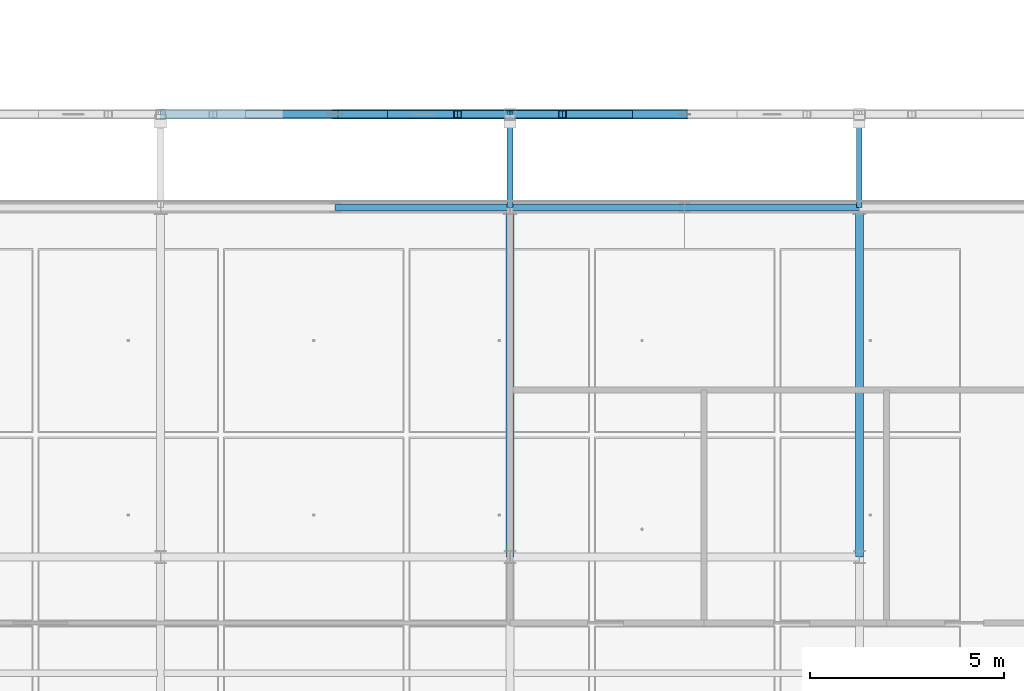
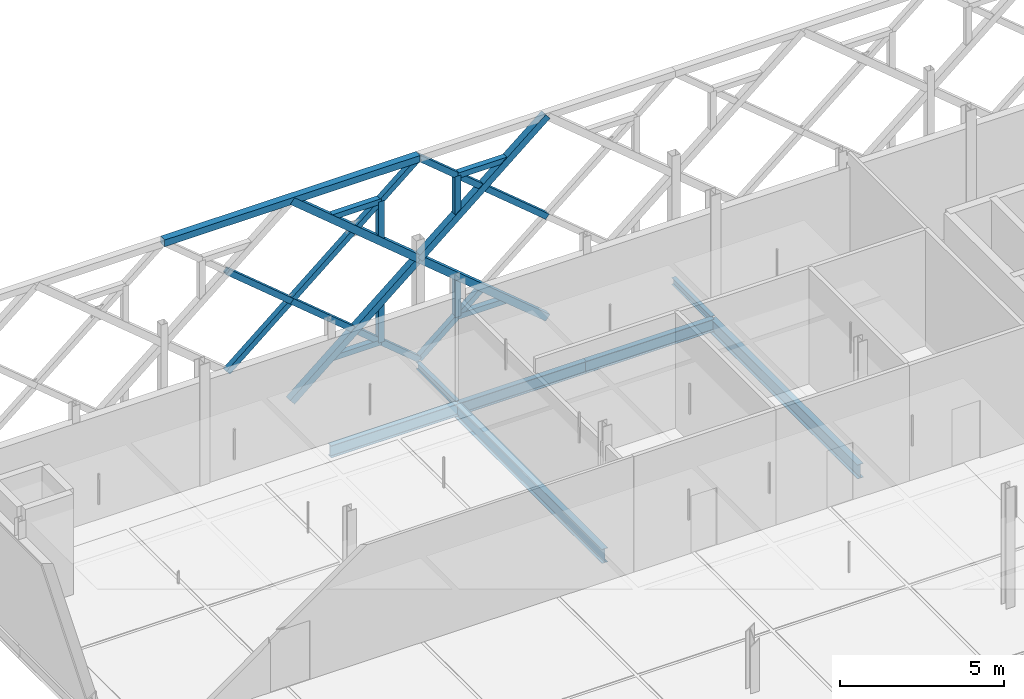
# One storey, part 24 of 66: 21 members, 7 beams.
"""IFC4 building model written with IfcOpenShell, lengths in metres."""

from ifc_helpers import new_model, si_unit, direction, frame, origin, origin_2d, place, context, subcontext, project, spatial, hollow_rectangle, i_section, extrude, material, material_profile, profile_set, type_object, element, save


model = new_model("IFC4")

# Units and contexts
model_context = context("Model", 3, precision=1e-05, world=origin(), true_north=direction((0.0, 1.0)))
body_context = subcontext(model_context, "Body", "Model", "MODEL_VIEW")
ifc_project = project(units=[si_unit("LENGTHUNIT", "METRE"), si_unit("AREAUNIT", "SQUARE_METRE"), si_unit("VOLUMEUNIT", "CUBIC_METRE"), si_unit("PLANEANGLEUNIT", "RADIAN"), si_unit("MASSUNIT", "GRAM", prefix="KILO"), si_unit("THERMODYNAMICTEMPERATUREUNIT", "KELVIN"), si_unit("POWERUNIT", "WATT")], contexts=[model_context])

# Site, building, storey
site_placement = place(None, origin())
site = spatial("IfcSite", under=ifc_project, at=site_placement, CompositionType="ELEMENT")
building_placement = place(site_placement, origin())
building = spatial("IfcBuilding", under=site, at=building_placement, Name="Tallowbark Science Centre", CompositionType="ELEMENT")
storey_placement = place(building_placement, frame((0.0, 0.0, 18.89990234375)))
storey = spatial("IfcBuildingStorey", under=building, at=storey_placement, Name="L04", CompositionType="ELEMENT", Elevation=18.89990234375)

# Beams
ifc_material_1 = material(Name="White Architectural Painted Steel Grade C350L0 (350 MPa)", Category="steel")
ifc_material_profile_1 = material_profile(ifc_material_1, i_section(OverallWidth=0.146484375, OverallDepth=0.256103515625, WebThickness=0.00634765625, FlangeThickness=0.010986328125, FilletRadius=0.0087890625, at=origin_2d()), Name="250UB37.3")
ifc_profile_set_1 = profile_set([ifc_material_profile_1], Name="White Architectural Painted Steel Grade C350L0 (350 MPa)")
beam_type_1 = type_object("IfcBeamType", Name="BM-OUT250", PredefinedType="BEAM", material=ifc_profile_set_1)
for number, where, z_axis, x_axis, name in (
    (1, (76.5, 40.5, -0.25), (0.0, 1.0, 0.0), (-1.0, 0.0, 0.0), "Star Screen Outrigger Tie Beam N-62"),
    (2, (85.5, 40.5, -0.25), (0.0, 1.0, 0.0), (-1.0, 0.0, 0.0), "Star Screen Outrigger Tie Beam N-64"),
):
    element("IfcBeam", number, at=place(storey_placement, frame(where, z_axis=z_axis, x_axis=x_axis)), inside=storey, type_object=beam_type_1, Name=name, PredefinedType="BEAM", context=body_context, shape_type="SweptSolid", body=[
        extrude(i_section(OverallWidth=0.146484375, OverallDepth=0.256103515625, WebThickness=0.00634765625, FlangeThickness=0.010986328125, FilletRadius=0.0087890625, at=origin_2d()), origin(), (0.0, 0.0, 1.0), 2.39990234375),
    ])
ifc_material_2 = material(Name="Structural Steel Grade 300PLUS (300 MPa)", Category="steel")
ifc_material_profile_2 = material_profile(ifc_material_2, i_section(OverallWidth=0.208740234375, OverallDepth=0.5283203125, WebThickness=0.009521484375, FlangeThickness=0.01318359375, FilletRadius=0.013916015625, at=origin_2d()), Name="530UB82.0")
ifc_profile_set_2 = profile_set([ifc_material_profile_2], Name="Structural Steel Grade 300PLUS (300 MPa)")
beam_type_2 = type_object("IfcBeamType", Name="BM-UB530B", PredefinedType="BEAM", material=ifc_profile_set_2)
for number, where, z_axis, x_axis, name in (
    (3, (76.5, 31.5, -0.444091796875), (0.0, 1.0, 0.0), (-1.0, 0.0, 0.0), "Primary Girder GRDY-L04-765-315-405"),
    (4, (85.5, 31.5, -0.444091796875), (0.0, 1.0, 0.0), (-1.0, 0.0, 0.0), "Primary Girder GRDY-L04-855-315-405"),
):
    element("IfcBeam", number, at=place(storey_placement, frame(where, z_axis=z_axis, x_axis=x_axis)), inside=storey, type_object=beam_type_2, Name=name, PredefinedType="BEAM", context=body_context, shape_type="SweptSolid", body=[
        extrude(i_section(OverallWidth=0.208740234375, OverallDepth=0.5283203125, WebThickness=0.009521484375, FlangeThickness=0.01318359375, FilletRadius=0.013916015625, at=origin_2d()), origin(), (0.0, 0.0, 1.0), 9.0),
    ])

# Members
ifc_material_profile_3 = material_profile(ifc_material_1, hollow_rectangle(XDim=0.25, YDim=0.25, WallThickness=0.009033203125, at=origin_2d()), Name="250x250x9.0SHS")
ifc_profile_set_3 = profile_set([ifc_material_profile_3], Name="White Architectural Painted Steel Grade C350L0 (350 MPa)")
member_type_1 = type_object("IfcMemberType", Name="SCR-CHD200", PredefinedType="CHORD", material=ifc_profile_set_3)
member_1_placement = place(storey_placement, frame((67.5, 42.89990234375, 7.5), z_axis=(1.0, 0.0, 0.0), x_axis=(0.0, 1.0, 0.0)))
element("IfcMember", 5, at=member_1_placement, inside=storey, type_object=member_type_1, Name="Star Screen Frame Chord N-39", PredefinedType="CHORD", context=body_context, shape_type="SweptSolid", body=[
    extrude(hollow_rectangle(XDim=0.25, YDim=0.25, WallThickness=0.009033203125, at=origin_2d()), origin(), (0.0, 0.0, 1.0), 9.0),
])
for number, where, z_axis, x_axis, name in (
    (6, (72.0, 42.89990234375, 0.0), (0.768221279597, 0.0, 0.640184399664), (0.0, 1.0, 0.0), "Star Screen Octagram Diamond Chord N-39-1"),
    (7, (76.5, 42.89990234375, 3.75), (-0.768221279597, 0.0, 0.640184399664), (0.0, -1.0, 0.0), "Star Screen Octagram Diamond Chord N-39-2"),
    (8, (81.0, 42.89990234375, 7.5), (-0.768221279597, 0.0, -0.640184399664), (0.0, -1.0, 0.0), "Star Screen Octagram Diamond Chord N-41-3"),
    (9, (76.5, 42.89990234375, 3.75), (0.768221279597, 0.0, -0.640184399664), (0.0, 1.0, 0.0), "Star Screen Octagram Diamond Chord N-41-4"),
):
    element("IfcMember", number, at=place(storey_placement, frame(where, z_axis=z_axis, x_axis=x_axis)), inside=storey, type_object=member_type_1, Name=name, PredefinedType="CHORD", context=body_context, shape_type="SweptSolid", body=[
        extrude(hollow_rectangle(XDim=0.25, YDim=0.25, WallThickness=0.009033203125, at=origin_2d()), origin(), (0.0, 0.0, 1.0), 5.857666015625),
    ])
ifc_material_profile_4 = material_profile(ifc_material_1, hollow_rectangle(XDim=0.199951171875, YDim=0.199951171875, WallThickness=0.009033203125, at=origin_2d()), Name="200x200x9.0SHS")
ifc_profile_set_4 = profile_set([ifc_material_profile_4], Name="White Architectural Painted Steel Grade C350L0 (350 MPa)")
member_type_2 = type_object("IfcMemberType", Name="SCR-STAR139", PredefinedType="BRACE", material=ifc_profile_set_4)
member_2_placement = place(storey_placement, frame((69.75, 42.89990234375, 1.875), z_axis=(0.768221279597, 0.0, 0.640184399664), x_axis=(0.0, 1.0, 0.0)))
element("IfcMember", 10, at=member_2_placement, inside=storey, type_object=member_type_2, Name="Star Screen Continuous X-Diagonal D1M N-39", PredefinedType="BRACE", context=body_context, shape_type="SweptSolid", body=[
    extrude(hollow_rectangle(XDim=0.199951171875, YDim=0.199951171875, WallThickness=0.009033203125, at=origin_2d()), origin(), (0.0, 0.0, 1.0), 5.857666015625),
])
for number, where, z_axis, x_axis, name in (
    (11, (74.25, 42.89990234375, 5.625), (0.768221279597, 0.0, 0.640184399664), (0.0, 1.0, 0.0), "Star Screen Continuous X-Diagonal D1B N-39"),
    (12, (69.75, 42.89990234375, 5.625), (0.768221279597, 0.0, -0.640184399664), (0.0, 1.0, 0.0), "Star Screen Split X-Diagonal D2B N-39"),
    (13, (72.0, 42.89990234375, 3.75), (0.768221279597, 0.0, -0.640184399664), (0.0, 1.0, 0.0), "Star Screen Split X-Diagonal D2C N-39"),
    (14, (74.25, 42.89990234375, 1.875), (0.768221279597, 0.0, -0.640184399664), (0.0, 1.0, 0.0), "Star Screen Split X-Diagonal D2D N-39"),
    (15, (76.5, 42.89990234375, 0.0), (0.768221279597, 0.0, 0.640184399664), (0.0, 1.0, 0.0), "Star Screen Continuous X-Diagonal D1A N-41"),
    (16, (76.5, 42.89990234375, 7.5), (0.768221279597, 0.0, -0.640184399664), (0.0, 1.0, 0.0), "Star Screen Split X-Diagonal D2A N-41"),
    (17, (78.75, 42.89990234375, 5.625), (0.768221279597, 0.0, -0.640184399664), (0.0, 1.0, 0.0), "Star Screen Split X-Diagonal D2B N-41"),
):
    element("IfcMember", number, at=place(storey_placement, frame(where, z_axis=z_axis, x_axis=x_axis)), inside=storey, type_object=member_type_2, Name=name, PredefinedType="BRACE", context=body_context, shape_type="SweptSolid", body=[
        extrude(hollow_rectangle(XDim=0.199951171875, YDim=0.199951171875, WallThickness=0.009033203125, at=origin_2d()), origin(), (0.0, 0.0, 1.0), 2.928955078125),
    ])
ifc_material_profile_5 = material_profile(ifc_material_1, hollow_rectangle(XDim=0.199951171875, YDim=0.199951171875, WallThickness=0.009033203125, at=origin_2d()), Name="200x200x9.0SHS")
ifc_profile_set_5 = profile_set([ifc_material_profile_5], Name="White Architectural Painted Steel Grade C350L0 (350 MPa)")
member_type_3 = type_object("IfcMemberType", Name="SCR-SUB150", PredefinedType="BRACE", material=ifc_profile_set_5)
member_3_placement = place(storey_placement, frame((75.14990234375, 42.89990234375, 1.125), z_axis=(-1.0, 0.0, 0.0), x_axis=(0.0, -1.0, 0.0)))
element("IfcMember", 18, at=member_3_placement, inside=storey, type_object=member_type_3, Name="Star Screen Octagram Point Ray N-39-3", PredefinedType="BRACE", context=body_context, shape_type="SweptSolid", body=[
    extrude(hollow_rectangle(XDim=0.199951171875, YDim=0.199951171875, WallThickness=0.009033203125, at=origin_2d()), origin(), (0.0, 0.0, 1.0), 1.7998046875),
])
member_4_placement = place(storey_placement, frame((75.14990234375, 42.89990234375, 1.125), z_axis=(0.0, 0.0, 1.0), x_axis=(1.0, 0.0, 0.0)))
element("IfcMember", 19, at=member_4_placement, inside=storey, type_object=member_type_3, Name="Star Screen Octagram Point Ray N-39-4", PredefinedType="BRACE", context=body_context, shape_type="SweptSolid", body=[
    extrude(hollow_rectangle(XDim=0.199951171875, YDim=0.199951171875, WallThickness=0.009033203125, at=origin_2d()), origin(), (0.0, 0.0, 1.0), 1.5),
])
member_5_placement = place(storey_placement, frame((75.14990234375, 42.89990234375, 6.375), z_axis=(-1.0, 0.0, 0.0), x_axis=(0.0, -1.0, 0.0)))
element("IfcMember", 20, at=member_5_placement, inside=storey, type_object=member_type_3, Name="Star Screen Octagram Point Ray N-39-5", PredefinedType="BRACE", context=body_context, shape_type="SweptSolid", body=[
    extrude(hollow_rectangle(XDim=0.199951171875, YDim=0.199951171875, WallThickness=0.009033203125, at=origin_2d()), origin(), (0.0, 0.0, 1.0), 1.7998046875),
])
member_6_placement = place(storey_placement, frame((75.14990234375, 42.89990234375, 6.375), z_axis=(0.0, 0.0, -1.0), x_axis=(1.0, 0.0, 0.0)))
element("IfcMember", 21, at=member_6_placement, inside=storey, type_object=member_type_3, Name="Star Screen Octagram Point Ray N-39-6", PredefinedType="BRACE", context=body_context, shape_type="SweptSolid", body=[
    extrude(hollow_rectangle(XDim=0.199951171875, YDim=0.199951171875, WallThickness=0.009033203125, at=origin_2d()), origin(), (0.0, 0.0, 1.0), 1.5),
])
member_7_placement = place(storey_placement, frame((77.85009765625, 42.89990234375, 1.125), z_axis=(1.0, 0.0, 0.0), x_axis=(0.0, 1.0, 0.0)))
element("IfcMember", 22, at=member_7_placement, inside=storey, type_object=member_type_3, Name="Star Screen Octagram Point Ray N-41-1", PredefinedType="BRACE", context=body_context, shape_type="SweptSolid", body=[
    extrude(hollow_rectangle(XDim=0.199951171875, YDim=0.199951171875, WallThickness=0.009033203125, at=origin_2d()), origin(), (0.0, 0.0, 1.0), 1.7998046875),
])
member_8_placement = place(storey_placement, frame((77.85009765625, 42.89990234375, 1.125), z_axis=(0.0, 0.0, 1.0), x_axis=(1.0, 0.0, 0.0)))
element("IfcMember", 23, at=member_8_placement, inside=storey, type_object=member_type_3, Name="Star Screen Octagram Point Ray N-41-2", PredefinedType="BRACE", context=body_context, shape_type="SweptSolid", body=[
    extrude(hollow_rectangle(XDim=0.199951171875, YDim=0.199951171875, WallThickness=0.009033203125, at=origin_2d()), origin(), (0.0, 0.0, 1.0), 1.5),
])
member_9_placement = place(storey_placement, frame((77.85009765625, 42.89990234375, 6.375), z_axis=(1.0, 0.0, 0.0), x_axis=(0.0, 1.0, 0.0)))
element("IfcMember", 24, at=member_9_placement, inside=storey, type_object=member_type_3, Name="Star Screen Octagram Point Ray N-41-7", PredefinedType="BRACE", context=body_context, shape_type="SweptSolid", body=[
    extrude(hollow_rectangle(XDim=0.199951171875, YDim=0.199951171875, WallThickness=0.009033203125, at=origin_2d()), origin(), (0.0, 0.0, 1.0), 1.7998046875),
])
member_10_placement = place(storey_placement, frame((77.85009765625, 42.89990234375, 6.375), z_axis=(0.0, 0.0, -1.0), x_axis=(1.0, 0.0, 0.0)))
element("IfcMember", 25, at=member_10_placement, inside=storey, type_object=member_type_3, Name="Star Screen Octagram Point Ray N-41-8", PredefinedType="BRACE", context=body_context, shape_type="SweptSolid", body=[
    extrude(hollow_rectangle(XDim=0.199951171875, YDim=0.199951171875, WallThickness=0.009033203125, at=origin_2d()), origin(), (0.0, 0.0, 1.0), 1.5),
])

# Beams
ifc_material_profile_6 = material_profile(ifc_material_2, i_section(OverallWidth=0.18994140625, OverallDepth=0.453857421875, WebThickness=0.008544921875, FlangeThickness=0.0126953125, FilletRadius=0.011474609375, at=origin_2d()), Name="460UB67.1")
ifc_profile_set_6 = profile_set([ifc_material_profile_6], Name="Structural Steel Grade 300PLUS (300 MPa)")
beam_type_3 = type_object("IfcBeamType", Name="SPN-UB460", PredefinedType="SPANDREL", material=ifc_profile_set_6)
for number, where, z_axis, x_axis, name in (
    (26, (72.0, 40.5, -0.40673828125), (1.0, 0.0, 0.0), (0.0, 1.0, 0.0), "Primary Girder GRDX-L04-720-765-405"),
    (27, (76.5, 40.5, -0.40673828125), (1.0, 0.0, 0.0), (0.0, 1.0, 0.0), "Primary Girder GRDX-L04-765-810-405"),
    (28, (81.0, 40.5, -0.40673828125), (1.0, 0.0, 0.0), (0.0, 1.0, 0.0), "Primary Girder GRDX-L04-810-855-405"),
):
    element("IfcBeam", number, at=place(storey_placement, frame(where, z_axis=z_axis, x_axis=x_axis)), inside=storey, type_object=beam_type_3, Name=name, PredefinedType="SPANDREL", context=body_context, shape_type="SweptSolid", body=[
        extrude(i_section(OverallWidth=0.18994140625, OverallDepth=0.453857421875, WebThickness=0.008544921875, FlangeThickness=0.0126953125, FilletRadius=0.011474609375, at=origin_2d()), origin(), (0.0, 0.0, 1.0), 4.5),
    ])

save(model, "model.ifc")
